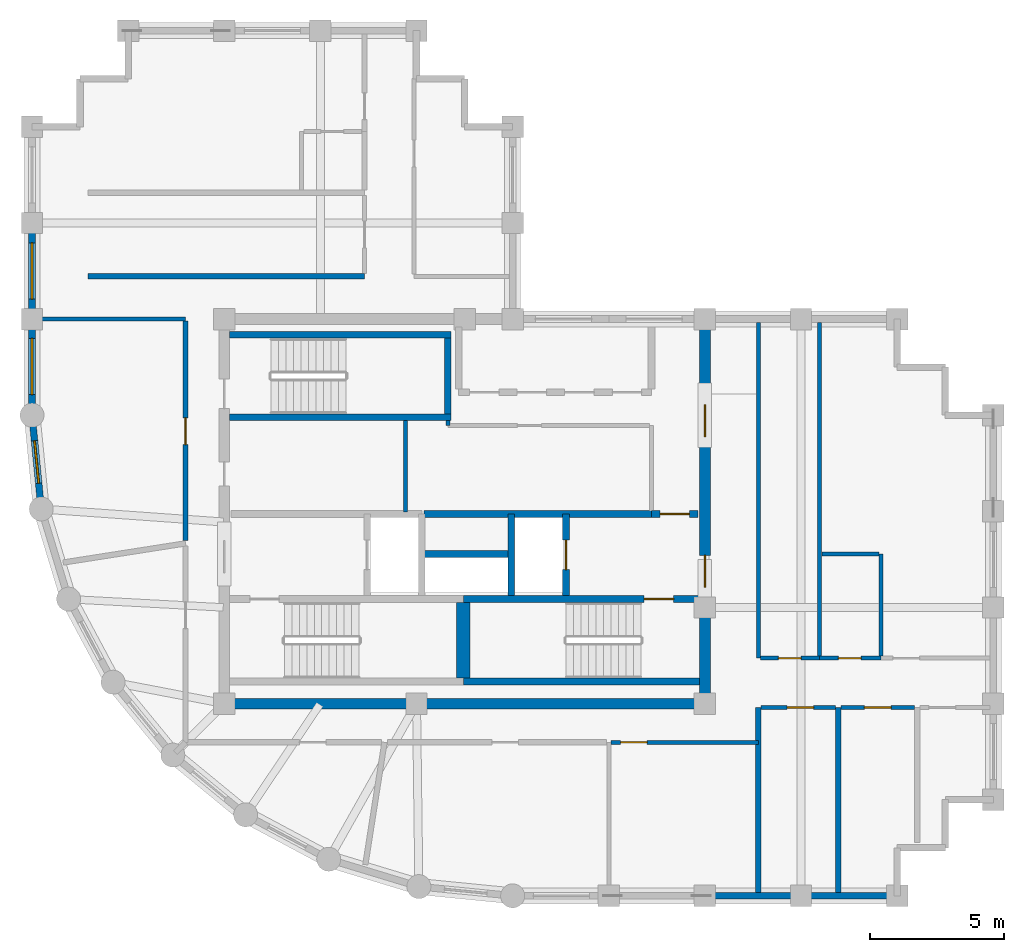
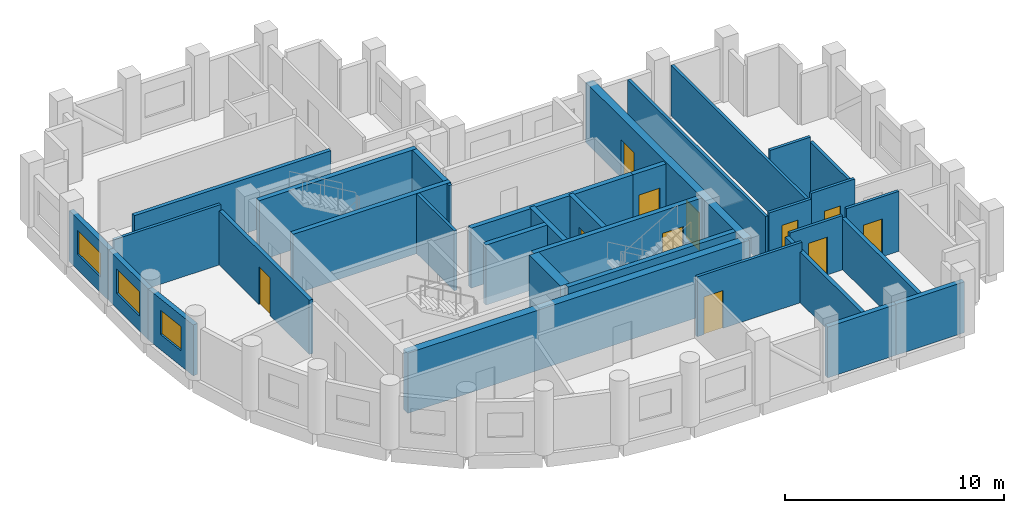
# One storey, part 3 of 6: 34 walls, 11 doors, 3 windows, 14 openings.
"""IFC4 building model written with IfcOpenShell, lengths in metres."""

from ifc_helpers import new_model, si_unit, direction, frame, frame_2d, origin, place, context, subcontext, project, spatial, rectangle, extrude, material, layer, layer_set, type_object, element, fill, save


model = new_model("IFC4")

# Units and contexts
model_context = context("Model", 3, precision=1e-05, world=origin(), true_north=direction((0.0, 1.0)))
body_context = subcontext(model_context, "Body", "Model", "MODEL_VIEW")
ifc_project = project(units=[si_unit("LENGTHUNIT", "METRE"), si_unit("AREAUNIT", "SQUARE_METRE"), si_unit("VOLUMEUNIT", "CUBIC_METRE"), si_unit("PLANEANGLEUNIT", "RADIAN"), si_unit("MASSUNIT", "GRAM", prefix="KILO")], contexts=[model_context])

# Site, building, storey
site_placement = place(None, origin())
site = spatial("IfcSite", under=ifc_project, at=site_placement, CompositionType="ELEMENT")
building_placement = place(site_placement, origin())
building = spatial("IfcBuilding", under=site, at=building_placement, Name="Solnavia Interchange Tower", CompositionType="ELEMENT")
storey_placement = place(building_placement, frame((0.0, 0.0, 231.800048828125)))
storey = spatial("IfcBuildingStorey", under=building, at=storey_placement, Name="L58", CompositionType="ELEMENT", Elevation=231.800048828125)

# Wall, opening, door
ifc_material_1 = material(Name="Gypsum Acoustic Twin-Stud & Mineral Wool", Category="gypsum")
ifc_layer_1 = layer(ifc_material_1, 0.199951171875)
ifc_layer_set_1 = layer_set([ifc_layer_1], Name="Gypsum Acoustic Twin-Stud & Mineral Wool")
wall_type_1 = type_object("IfcWallType", Name="Wall-ApartmentParty-200", PredefinedType="PARTITIONING", material=ifc_layer_set_1)
wall_1_placement = place(storey_placement, frame((12.949951171875, 16.904052734375, 0.0), z_axis=(0.0, 0.0, 1.0), x_axis=(0.0, 1.0, 0.0)))
wall_1 = element("IfcWall", 1, at=wall_1_placement, inside=storey, type_object=wall_type_1, Name="PTW-L58-12 Interior partition wall", PredefinedType="PARTITIONING", context=body_context, shape_type="SweptSolid", body=[
    extrude(rectangle(XDim=8.217041015625, YDim=0.199951171875, at=frame_2d((4.1083984375, 0.0))), origin(), (0.0, 0.0, 1.0), 3.02001953125),
])
opening_1_placement = place(wall_1_placement, frame((3.595947265625, 0.0, 0.0)))
opening_1 = element("IfcOpeningElement", 2, at=opening_1_placement, cuts=wall_1, Name="Opening DR-07", PredefinedType="OPENING", context=body_context, shape_type="SweptSolid", body=[
    extrude(rectangle(XDim=1.0, YDim=2.10009765625, at=frame_2d((0.5, 1.050048828125))), frame((0.0, 0.10986328125, 0.0), z_axis=(0.0, -1.0, 0.0), x_axis=(1.0, 0.0, 0.0)), (0.0, 0.0, 1.0), 0.219970703125),
])
ifc_material_2 = material(Name="Timber & Acoustic Glazed Office Door", Category="wood")
door_type_1 = type_object("IfcDoorType", Name="Door-Office-1000x2100", OperationType="SINGLE_SWING_RIGHT", PredefinedType="DOOR", material=ifc_material_2)
door_1_placement = place(opening_1_placement, origin())
door_1 = element("IfcDoor", 3, at=door_1_placement, inside=storey, type_object=door_type_1, Name="DR-L58-03 Interior room door", OperationType="SINGLE_SWING_LEFT", OverallHeight=2.10009765625, OverallWidth=1.0, PredefinedType="DOOR", context=body_context, shape_type="SweptSolid", body=[
    extrude(rectangle(XDim=1.0, YDim=2.10009765625, at=frame_2d((0.5, 1.050048828125))), frame((0.0, 0.02490234375, 0.0), z_axis=(0.0, -1.0, 0.0), x_axis=(1.0, 0.0, 0.0)), (0.0, 0.0, 1.0), 0.050048828125),
])
fill(opening_1, door_1)

# Walls
for number, where, z_axis, x_axis, name in (
    (4, (34.39990234375, 3.72900390625, 0.0), (0.0, 0.0, 1.0), (0.0, 1.0, 0.0), "PTW-L58-17 Interior partition wall"),
    (5, (37.389892578125, 3.72900390625, 0.0), (0.0, 0.0, 1.0), (0.0, 1.0, 0.0), "PTW-L58-18 Interior partition wall"),
):
    element("IfcWall", number, at=place(storey_placement, frame(where, z_axis=z_axis, x_axis=x_axis)), inside=storey, type_object=wall_type_1, Name=name, PredefinedType="PARTITIONING", context=body_context, shape_type="SweptSolid", body=[
        extrude(rectangle(XDim=6.9208984375, YDim=0.199951171875, at=frame_2d((3.46044921875, 0.0))), origin(), (0.0, 0.0, 1.0), 2.829833984375),
    ])
wall_2_placement = place(storey_placement, frame((9.300048828125, 26.800048828125, 0.0), z_axis=(0.0, 0.0, 1.0), x_axis=(1.0, 0.0, 0.0)))
element("IfcWall", 6, at=wall_2_placement, inside=storey, type_object=wall_type_1, Name="PTW-L58-24 Interior partition wall", PredefinedType="PARTITIONING", context=body_context, shape_type="SweptSolid", body=[
    extrude(rectangle(XDim=10.349853515625, YDim=0.199951171875, at=frame_2d((5.1748046875, 0.0))), origin(), (0.0, 0.0, 1.0), 3.030029296875),
])
ifc_material_3 = material(Name="Concrete C40/50", Category="concrete")
ifc_layer_2 = layer(ifc_material_3, 0.25)
ifc_layer_set_2 = layer_set([ifc_layer_2], Name="Concrete C40/50")
wall_type_2 = type_object("IfcWallType", Name="Wall-ExtSpandrel-250", PredefinedType="STANDARD", material=ifc_layer_set_2)
for number, where, z_axis, x_axis, name in (
    (7, (36.0, 3.60009765625, 0.0), (0.0, 0.0, 1.0), (-1.0, 0.0, 0.0), "EXW-L58-03 Exterior precast spandrel wall"),
    (8, (39.60009765625, 3.60009765625, 0.0), (0.0, 0.0, 1.0), (-1.0, 0.0, 0.0), "EXW-L58-04 Exterior precast spandrel wall"),
):
    element("IfcWall", number, at=place(storey_placement, frame(where, z_axis=z_axis, x_axis=x_axis)), inside=storey, type_object=wall_type_2, Name=name, PredefinedType="STANDARD", context=body_context, shape_type="SweptSolid", body=[
        extrude(rectangle(XDim=3.60009765625, YDim=0.25, at=frame_2d((1.800048828125, 0.0))), origin(), (0.0, 0.0, 1.0), 2.829833984375),
    ])

# Wall, opening, window
wall_3_placement = place(storey_placement, frame((7.199951171875, 25.199951171875, 0.0), z_axis=(0.0, 0.0, 1.0), x_axis=(0.0, 1.0, 0.0)))
wall_3 = element("IfcWall", 9, at=wall_3_placement, inside=storey, type_object=wall_type_2, Name="EXW-L58-35 Exterior precast spandrel wall", PredefinedType="STANDARD", context=body_context, shape_type="SweptSolid", body=[
    extrude(rectangle(XDim=3.60009765625, YDim=0.25, at=frame_2d((1.800048828125, 0.0))), origin(), (0.0, 0.0, 1.0), 2.829833984375),
])
opening_2_placement = place(wall_3_placement, frame((0.75, 0.0, 0.85009765625)))
opening_2 = element("IfcOpeningElement", 10, at=opening_2_placement, cuts=wall_3, Name="Opening WIN-01", PredefinedType="OPENING", context=body_context, shape_type="SweptSolid", body=[
    extrude(rectangle(XDim=2.10009765625, YDim=1.35009765625, at=frame_2d((1.050048828125, 0.675048828125))), frame((0.0, 0.135009765625, 0.0), z_axis=(0.0, -1.0, 0.0), x_axis=(1.0, 0.0, 0.0)), (0.0, 0.0, 1.0), 0.27001953125),
])
ifc_material_4 = material(Name="Thermal-Break Aluminium & Low-E Glass", Category="aluminium")
window_type_1 = type_object("IfcWindowType", Name="Window-Ribbon-2100x1350", PartitioningType="SINGLE_PANEL", PredefinedType="WINDOW", material=ifc_material_4)
window_1_placement = place(opening_2_placement, origin())
window_1 = element("IfcWindow", 11, at=window_1_placement, inside=storey, type_object=window_type_1, Name="WIN-L58-35 Facade ribbon window", OverallHeight=1.35009765625, OverallWidth=2.10009765625, PartitioningType="SINGLE_PANEL", PredefinedType="WINDOW", context=body_context, shape_type="SweptSolid", body=[
    extrude(rectangle(XDim=2.10009765625, YDim=1.35009765625, at=frame_2d((1.050048828125, 0.675048828125))), frame((0.0, 0.030029296875, 0.0), z_axis=(0.0, -1.0, 0.0), x_axis=(1.0, 0.0, 0.0)), (0.0, 0.0, 1.0), 0.06005859375),
])
fill(opening_2, window_1)

wall_4_placement = place(storey_placement, frame((7.199951171875, 21.60009765625, 0.0), z_axis=(0.0, 0.0, 1.0), x_axis=(0.0, 1.0, 0.0)))
wall_4 = element("IfcWall", 12, at=wall_4_placement, inside=storey, type_object=wall_type_2, Name="EXW-L58-36 Exterior precast spandrel wall", PredefinedType="STANDARD", context=body_context, shape_type="SweptSolid", body=[
    extrude(rectangle(XDim=3.599853515625, YDim=0.25, at=frame_2d((1.7998046875, 0.0))), origin(), (0.0, 0.0, 1.0), 2.829833984375),
])
opening_3_placement = place(wall_4_placement, frame((0.77490234375, 0.0, 0.85009765625)))
opening_3 = element("IfcOpeningElement", 13, at=opening_3_placement, cuts=wall_4, Name="Opening WIN-01", PredefinedType="OPENING", context=body_context, shape_type="SweptSolid", body=[
    extrude(rectangle(XDim=2.10009765625, YDim=1.35009765625, at=frame_2d((1.050048828125, 0.675048828125))), frame((0.0, 0.135009765625, 0.0), z_axis=(0.0, -1.0, 0.0), x_axis=(1.0, 0.0, 0.0)), (0.0, 0.0, 1.0), 0.27001953125),
])
window_2_placement = place(opening_3_placement, origin())
window_2 = element("IfcWindow", 14, at=window_2_placement, inside=storey, type_object=window_type_1, Name="WIN-L58-36 Facade ribbon window", OverallHeight=1.35009765625, OverallWidth=2.10009765625, PartitioningType="SINGLE_PANEL", PredefinedType="WINDOW", context=body_context, shape_type="SweptSolid", body=[
    extrude(rectangle(XDim=2.10009765625, YDim=1.35009765625, at=frame_2d((1.050048828125, 0.675048828125))), frame((0.0, 0.030029296875, 0.0), z_axis=(0.0, -1.0, 0.0), x_axis=(1.0, 0.0, 0.0)), (0.0, 0.0, 1.0), 0.06005859375),
])
fill(opening_3, window_2)

wall_5_placement = place(storey_placement, frame((7.5458984375, 18.087890625, 0.0), z_axis=(0.0, 0.0, 1.0), x_axis=(-0.09802417461, 0.995184033831, 0.0)))
wall_5 = element("IfcWall", 15, at=wall_5_placement, inside=storey, type_object=wall_type_2, Name="EXW-L58-37 Exterior precast spandrel wall", PredefinedType="STANDARD", context=body_context, shape_type="SweptSolid", body=[
    extrude(rectangle(XDim=3.529296875, YDim=0.25, at=frame_2d((1.7646484375, 0.0))), origin(), (0.0, 0.0, 1.0), 2.829833984375),
])
opening_4_placement = place(wall_5_placement, frame((0.965087890625, 0.0, 0.85009765625)))
opening_4 = element("IfcOpeningElement", 16, at=opening_4_placement, cuts=wall_5, Name="Opening WIN-04", PredefinedType="OPENING", context=body_context, shape_type="SweptSolid", body=[
    extrude(rectangle(XDim=1.60009765625, YDim=1.35009765625, at=frame_2d((0.800048828125, 0.675048828125))), frame((0.0, 0.135009765625, 0.0), z_axis=(0.0, -1.0, 0.0), x_axis=(1.0, 0.0, 0.0)), (0.0, 0.0, 1.0), 0.27001953125),
])
window_type_2 = type_object("IfcWindowType", Name="Window-Drum-1600x1350", PartitioningType="SINGLE_PANEL", PredefinedType="WINDOW", material=ifc_material_4)
window_3_placement = place(opening_4_placement, origin())
window_3 = element("IfcWindow", 17, at=window_3_placement, inside=storey, type_object=window_type_2, Name="WIN-L58-37 Facade ribbon window", OverallHeight=1.35009765625, OverallWidth=1.60009765625, PartitioningType="SINGLE_PANEL", PredefinedType="WINDOW", context=body_context, shape_type="SweptSolid", body=[
    extrude(rectangle(XDim=1.60009765625, YDim=1.35009765625, at=frame_2d((0.800048828125, 0.675048828125))), frame((0.0, 0.030029296875, 0.0), z_axis=(0.0, -1.0, 0.0), x_axis=(1.0, 0.0, 0.0)), (0.0, 0.0, 1.0), 0.06005859375),
])
fill(opening_4, window_3)

# Walls
ifc_material_5 = material(Name="Gypsum Plasterboard & Steel Stud", Category="steel")
ifc_layer_3 = layer(ifc_material_5, 0.14990234375)
ifc_layer_set_3 = layer_set([ifc_layer_3], Name="Gypsum Plasterboard & Steel Stud")
wall_type_3 = type_object("IfcWallType", Name="Wall-Partition-150", PredefinedType="PARTITIONING", material=ifc_layer_set_3)
wall_6_placement = place(storey_placement, frame((22.77490234375, 21.219970703125, 0.0), z_axis=(0.0, 0.0, 1.0), x_axis=(0.0, 1.0, 0.0)))
element("IfcWall", 18, at=wall_6_placement, inside=storey, type_object=wall_type_3, Name="CSW-L58-ST-TIE Core shaft wall", PredefinedType="PARTITIONING", context=body_context, shape_type="SweptSolid", body=[
    extrude(rectangle(XDim=0.175048828125, YDim=0.14990234375, at=frame_2d((0.08740234375, 0.0))), origin(), (0.0, 0.0, 1.0), 3.3349609375),
])
wall_7_placement = place(storey_placement, frame((21.179931640625, 17.97998046875, 0.0), z_axis=(0.0, 0.0, 1.0), x_axis=(0.0, 1.0, 0.0)))
element("IfcWall", 19, at=wall_7_placement, inside=storey, type_object=wall_type_3, Name="CSW-L58-M0 Core shaft wall", PredefinedType="PARTITIONING", context=body_context, shape_type="SweptSolid", body=[
    extrude(rectangle(XDim=3.419921875, YDim=0.14990234375, at=frame_2d((1.7099609375, 0.0))), origin(), (0.0, 0.0, 1.0), 3.3349609375),
])
wall_8_placement = place(storey_placement, frame((7.3291015625, 25.199951171875, 0.0), z_axis=(0.0, 0.0, 1.0), x_axis=(1.0, 0.0, 0.0)))
element("IfcWall", 20, at=wall_8_placement, inside=storey, type_object=wall_type_3, Name="PTW-L58-07 Interior partition wall", PredefinedType="PARTITIONING", context=body_context, shape_type="SweptSolid", body=[
    extrude(rectangle(XDim=5.620849609375, YDim=0.14990234375, at=frame_2d((2.810546875, 0.0))), origin(), (0.0, 0.0, 1.0), 3.3349609375),
])

# Wall, opening, door
wall_9_placement = place(storey_placement, frame((28.87890625, 9.35009765625, 0.0), z_axis=(0.0, 0.0, 1.0), x_axis=(1.0, 0.0, 0.0)))
wall_9 = element("IfcWall", 21, at=wall_9_placement, inside=storey, type_object=wall_type_3, Name="PTW-L58-16 Interior partition wall", PredefinedType="PARTITIONING", context=body_context, shape_type="SweptSolid", body=[
    extrude(rectangle(XDim=5.52099609375, YDim=0.14990234375, at=frame_2d((2.760498046875, 0.0))), origin(), (0.0, 0.0, 1.0), 3.3349609375),
])
opening_5_placement = place(wall_9_placement, frame((0.360107421875, 0.0, 0.0)))
opening_5 = element("IfcOpeningElement", 22, at=opening_5_placement, cuts=wall_9, Name="Opening DR-07", PredefinedType="OPENING", context=body_context, shape_type="SweptSolid", body=[
    extrude(rectangle(XDim=1.0, YDim=2.10009765625, at=frame_2d((0.5, 1.050048828125))), frame((0.0, 0.0849609375, 0.0), z_axis=(0.0, -1.0, 0.0), x_axis=(1.0, 0.0, 0.0)), (0.0, 0.0, 1.0), 0.169921875),
])
door_2_placement = place(opening_5_placement, origin())
door_2 = element("IfcDoor", 23, at=door_2_placement, inside=storey, type_object=door_type_1, Name="DR-L58-07 Interior room door", OperationType="SINGLE_SWING_LEFT", OverallHeight=2.10009765625, OverallWidth=1.0, PredefinedType="DOOR", context=body_context, shape_type="SweptSolid", body=[
    extrude(rectangle(XDim=1.0, YDim=2.10009765625, at=frame_2d((0.5, 1.050048828125))), frame((0.0, 0.02490234375, 0.0), z_axis=(0.0, -1.0, 0.0), x_axis=(1.0, 0.0, 0.0)), (0.0, 0.0, 1.0), 0.050048828125),
])
fill(opening_5, door_2)

wall_10_placement = place(storey_placement, frame((34.50390625, 10.64990234375, 0.0), z_axis=(0.0, 0.0, 1.0), x_axis=(1.0, 0.0, 0.0)))
wall_10 = element("IfcWall", 24, at=wall_10_placement, inside=storey, type_object=wall_type_3, Name="PTW-L58-19 Interior partition wall", PredefinedType="PARTITIONING", context=body_context, shape_type="SweptSolid", body=[
    extrude(rectangle(XDim=2.781982421875, YDim=0.14990234375, at=frame_2d((1.39111328125, 0.0))), origin(), (0.0, 0.0, 1.0), 3.02001953125),
])
opening_6_placement = place(wall_10_placement, frame((0.969970703125, 0.0, 0.0)))
opening_6 = element("IfcOpeningElement", 25, at=opening_6_placement, cuts=wall_10, Name="Opening DR-07", PredefinedType="OPENING", context=body_context, shape_type="SweptSolid", body=[
    extrude(rectangle(XDim=1.0, YDim=2.10009765625, at=frame_2d((0.5, 1.050048828125))), frame((0.0, 0.0849609375, 0.0), z_axis=(0.0, -1.0, 0.0), x_axis=(1.0, 0.0, 0.0)), (0.0, 0.0, 1.0), 0.169921875),
])
door_3_placement = place(opening_6_placement, origin())
door_3 = element("IfcDoor", 26, at=door_3_placement, inside=storey, type_object=door_type_1, Name="DR-L58-08 Interior room door", OperationType="SINGLE_SWING_LEFT", OverallHeight=2.10009765625, OverallWidth=1.0, PredefinedType="DOOR", context=body_context, shape_type="SweptSolid", body=[
    extrude(rectangle(XDim=1.0, YDim=2.10009765625, at=frame_2d((0.5, 1.050048828125))), frame((0.0, 0.02490234375, 0.0), z_axis=(0.0, -1.0, 0.0), x_axis=(1.0, 0.0, 0.0)), (0.0, 0.0, 1.0), 0.050048828125),
])
fill(opening_6, door_3)

wall_11_placement = place(storey_placement, frame((37.493896484375, 10.64990234375, 0.0), z_axis=(0.0, 0.0, 1.0), x_axis=(1.0, 0.0, 0.0)))
wall_11 = element("IfcWall", 27, at=wall_11_placement, inside=storey, type_object=wall_type_3, Name="PTW-L58-21 Interior partition wall", PredefinedType="PARTITIONING", context=body_context, shape_type="SweptSolid", body=[
    extrude(rectangle(XDim=2.752197265625, YDim=0.14990234375, at=frame_2d((1.3759765625, 0.0))), origin(), (0.0, 0.0, 1.0), 3.3349609375),
])
opening_7_placement = place(wall_11_placement, frame((0.8759765625, 0.0, 0.0)))
opening_7 = element("IfcOpeningElement", 28, at=opening_7_placement, cuts=wall_11, Name="Opening DR-07", PredefinedType="OPENING", context=body_context, shape_type="SweptSolid", body=[
    extrude(rectangle(XDim=1.0, YDim=2.10009765625, at=frame_2d((0.5, 1.050048828125))), frame((0.0, 0.0849609375, 0.0), z_axis=(0.0, -1.0, 0.0), x_axis=(1.0, 0.0, 0.0)), (0.0, 0.0, 1.0), 0.169921875),
])
door_4_placement = place(opening_7_placement, origin())
door_4 = element("IfcDoor", 29, at=door_4_placement, inside=storey, type_object=door_type_1, Name="DR-L58-09 Interior room door", OperationType="SINGLE_SWING_RIGHT", OverallHeight=2.10009765625, OverallWidth=1.0, PredefinedType="DOOR", context=body_context, shape_type="SweptSolid", body=[
    extrude(rectangle(XDim=1.0, YDim=2.10009765625, at=frame_2d((0.5, 1.050048828125))), frame((0.0, 0.02490234375, 0.0), z_axis=(0.0, -1.0, 0.0), x_axis=(1.0, 0.0, 0.0)), (0.0, 0.0, 1.0), 0.050048828125),
])
fill(opening_7, door_4)

# Wall
ifc_layer_4 = layer(ifc_material_3, 0.25)
ifc_layer_set_4 = layer_set([ifc_layer_4], Name="Concrete C40/50")
wall_type_4 = type_object("IfcWallType", Name="Wall-ShaftCore-250", PredefinedType="SHEAR", material=ifc_layer_set_4)
wall_12_placement = place(storey_placement, frame((23.35009765625, 11.625, 0.0), z_axis=(0.0, 0.0, 1.0), x_axis=(1.0, 0.0, 0.0)))
element("IfcWall", 30, at=wall_12_placement, inside=storey, type_object=wall_type_4, Name="SHW-L58-ST2S Core shear wall", PredefinedType="SHEAR", context=body_context, shape_type="SweptSolid", body=[
    extrude(rectangle(XDim=8.849853515625, YDim=0.25, at=frame_2d((4.4248046875, 0.0))), origin(), (0.0, 0.0, 1.0), 3.349853515625),
])

# Wall, opening, door
wall_13_placement = place(storey_placement, frame((23.35009765625, 14.715087890625, 0.0), z_axis=(0.0, 0.0, 1.0), x_axis=(1.0, 0.0, 0.0)))
wall_13 = element("IfcWall", 31, at=wall_13_placement, inside=storey, type_object=wall_type_4, Name="SHW-L58-ST2N Core shear wall", PredefinedType="SHEAR", context=body_context, shape_type="SweptSolid", body=[
    extrude(rectangle(XDim=8.849853515625, YDim=0.25, at=frame_2d((4.4248046875, 0.0))), origin(), (0.0, 0.0, 1.0), 3.349853515625),
])
opening_8_placement = place(wall_13_placement, frame((6.77490234375, 0.0, 0.0)))
opening_8 = element("IfcOpeningElement", 32, at=opening_8_placement, cuts=wall_13, Name="Opening DR-01", PredefinedType="OPENING", context=body_context, shape_type="SweptSolid", body=[
    extrude(rectangle(XDim=1.10009765625, YDim=2.10009765625, at=frame_2d((0.550048828125, 1.050048828125))), frame((0.0, 0.135009765625, 0.0), z_axis=(0.0, -1.0, 0.0), x_axis=(1.0, 0.0, 0.0)), (0.0, 0.0, 1.0), 0.27001953125),
])
ifc_material_6 = material(Name="Steel Fire-Rated Leaf & Frame", Category="steel")
door_type_2 = type_object("IfcDoorType", Name="Door-StairFire-1100x2100", OperationType="SINGLE_SWING_LEFT", PredefinedType="DOOR", material=ifc_material_6)
door_5_placement = place(opening_8_placement, origin())
door_5 = element("IfcDoor", 33, at=door_5_placement, inside=storey, type_object=door_type_2, Name="DR-L58-ST2 Core fire door", OperationType="SINGLE_SWING_LEFT", OverallHeight=2.10009765625, OverallWidth=1.10009765625, PredefinedType="DOOR", context=body_context, shape_type="SweptSolid", body=[
    extrude(rectangle(XDim=1.10009765625, YDim=2.10009765625, at=frame_2d((0.550048828125, 1.050048828125))), frame((0.0, 0.02490234375, 0.0), z_axis=(0.0, -1.0, 0.0), x_axis=(1.0, 0.0, 0.0)), (0.0, 0.0, 1.0), 0.050048828125),
])
fill(opening_8, door_5)

# Walls
for number, where, z_axis, x_axis, name in (
    (34, (14.60009765625, 21.52490234375, 0.0), (0.0, 0.0, 1.0), (1.0, 0.0, 0.0), "SHW-L58-ST3S Core shear wall"),
    (35, (14.60009765625, 24.614990234375, 0.0), (0.0, 0.0, 1.0), (1.0, 0.0, 0.0), "SHW-L58-ST3N Core shear wall"),
):
    element("IfcWall", number, at=place(storey_placement, frame(where, z_axis=z_axis, x_axis=x_axis)), inside=storey, type_object=wall_type_4, Name=name, PredefinedType="SHEAR", context=body_context, shape_type="SweptSolid", body=[
        extrude(rectangle(XDim=8.2998046875, YDim=0.25, at=frame_2d((4.14990234375, 0.0))), origin(), (0.0, 0.0, 1.0), 3.349853515625),
    ])
wall_14_placement = place(storey_placement, frame((22.77490234375, 21.64990234375, 0.0), z_axis=(0.0, 0.0, 1.0), x_axis=(0.0, 1.0, 0.0)))
element("IfcWall", 36, at=wall_14_placement, inside=storey, type_object=wall_type_4, Name="SHW-L58-ST3E Core shear wall", PredefinedType="SHEAR", context=body_context, shape_type="SweptSolid", body=[
    extrude(rectangle(XDim=2.840087890625, YDim=0.25, at=frame_2d((1.419921875, 0.0))), origin(), (0.0, 0.0, 1.0), 3.349853515625),
])
ifc_layer_5 = layer(ifc_material_3, 0.25)
ifc_layer_set_5 = layer_set([ifc_layer_5], Name="Concrete C40/50")
wall_type_5 = type_object("IfcWallType", Name="Wall-ShaftPart-250", PredefinedType="PARTITIONING", material=ifc_layer_set_5)
wall_15_placement = place(storey_placement, frame((21.8798828125, 17.89990234375, 0.0), z_axis=(0.0, 0.0, 1.0), x_axis=(1.0, 0.0, 0.0)))
element("IfcWall", 37, at=wall_15_placement, inside=storey, type_object=wall_type_5, Name="SHW-L58-FFLE-N1 Core shaft wall", PredefinedType="PARTITIONING", context=body_context, shape_type="SweptSolid", body=[
    extrude(rectangle(XDim=8.52001953125, YDim=0.25, at=frame_2d((4.260009765625, 0.0))), origin(), (0.0, 0.0, 1.0), 3.3349609375),
])

# Wall, opening, door
wall_16_placement = place(storey_placement, frame((30.39990234375, 17.89990234375, 0.0), z_axis=(0.0, 0.0, 1.0), x_axis=(1.0, 0.0, 0.0)))
wall_16 = element("IfcWall", 38, at=wall_16_placement, inside=storey, type_object=wall_type_5, Name="SHW-L58-FFLE-N2 Core shaft wall", PredefinedType="PARTITIONING", context=body_context, shape_type="SweptSolid", body=[
    extrude(rectangle(XDim=1.75, YDim=0.25, at=frame_2d((0.875, 0.0))), origin(), (0.0, 0.0, 1.0), 3.3349609375),
])
opening_9_placement = place(wall_16_placement, frame((0.320068359375, 0.0, 0.0)))
opening_9 = element("IfcOpeningElement", 39, at=opening_9_placement, cuts=wall_16, Name="Opening DR-01", PredefinedType="OPENING", context=body_context, shape_type="SweptSolid", body=[
    extrude(rectangle(XDim=1.10009765625, YDim=2.10009765625, at=frame_2d((0.550048828125, 1.050048828125))), frame((0.0, 0.135009765625, 0.0), z_axis=(0.0, -1.0, 0.0), x_axis=(1.0, 0.0, 0.0)), (0.0, 0.0, 1.0), 0.27001953125),
])
door_6_placement = place(opening_9_placement, origin())
door_6 = element("IfcDoor", 40, at=door_6_placement, inside=storey, type_object=door_type_2, Name="DR-L58-LLC Core fire door", OperationType="SINGLE_SWING_LEFT", OverallHeight=2.10009765625, OverallWidth=1.10009765625, PredefinedType="DOOR", context=body_context, shape_type="SweptSolid", body=[
    extrude(rectangle(XDim=1.10009765625, YDim=2.10009765625, at=frame_2d((0.550048828125, 1.050048828125))), frame((0.0, 0.02490234375, 0.0), z_axis=(0.0, -1.0, 0.0), x_axis=(1.0, 0.0, 0.0)), (0.0, 0.0, 1.0), 0.050048828125),
])
fill(opening_9, door_6)

# Wall
wall_17_placement = place(storey_placement, frame((25.14990234375, 14.840087890625, 0.0), z_axis=(0.0, 0.0, 1.0), x_axis=(0.0, 1.0, 0.0)))
element("IfcWall", 41, at=wall_17_placement, inside=storey, type_object=wall_type_5, Name="SHW-L58-FFL2-W Core shaft wall", PredefinedType="PARTITIONING", context=body_context, shape_type="SweptSolid", body=[
    extrude(rectangle(XDim=3.059814453125, YDim=0.25, at=frame_2d((1.52978515625, 0.0))), origin(), (0.0, 0.0, 1.0), 3.3349609375),
])

# Wall, opening, door
wall_18_placement = place(storey_placement, frame((27.199951171875, 14.840087890625, 0.0), z_axis=(0.0, 0.0, 1.0), x_axis=(0.0, 1.0, 0.0)))
wall_18 = element("IfcWall", 42, at=wall_18_placement, inside=storey, type_object=wall_type_5, Name="SHW-L58-FFL2-E Core shaft wall", PredefinedType="PARTITIONING", context=body_context, shape_type="SweptSolid", body=[
    extrude(rectangle(XDim=3.059814453125, YDim=0.25, at=frame_2d((1.52978515625, 0.0))), origin(), (0.0, 0.0, 1.0), 3.3349609375),
])
opening_10_placement = place(wall_18_placement, frame((0.97998046875, 0.0, 0.0)))
opening_10 = element("IfcOpeningElement", 43, at=opening_10_placement, cuts=wall_18, Name="Opening LD-01", PredefinedType="OPENING", context=body_context, shape_type="SweptSolid", body=[
    extrude(rectangle(XDim=1.10009765625, YDim=2.10009765625, at=frame_2d((0.550048828125, 1.050048828125))), frame((0.0, 0.135009765625, 0.0), z_axis=(0.0, -1.0, 0.0), x_axis=(1.0, 0.0, 0.0)), (0.0, 0.0, 1.0), 0.27001953125),
])
ifc_material_7 = material(Name="Brushed Stainless Steel Sliding Door", Category="steel")
door_type_3 = type_object("IfcDoorType", Name="Door-LiftLanding-1100x2100", OperationType="SLIDING_TO_LEFT", PredefinedType="DOOR", material=ifc_material_7)
door_7_placement = place(opening_10_placement, origin())
door_7 = element("IfcDoor", 44, at=door_7_placement, inside=storey, type_object=door_type_3, Name="LD-L58-FFL2 Lift landing sliding door", OperationType="SLIDING_TO_LEFT", OverallHeight=2.10009765625, OverallWidth=1.10009765625, PredefinedType="DOOR", context=body_context, shape_type="SweptSolid", body=[
    extrude(rectangle(XDim=1.10009765625, YDim=2.10009765625, at=frame_2d((0.550048828125, 1.050048828125))), frame((0.0, 0.02490234375, 0.0), z_axis=(0.0, -1.0, 0.0), x_axis=(1.0, 0.0, 0.0)), (0.0, 0.0, 1.0), 0.050048828125),
])
fill(opening_10, door_7)

# Walls
wall_19_placement = place(storey_placement, frame((21.800048828125, 16.39990234375, 0.0), z_axis=(0.0, 0.0, 1.0), x_axis=(1.0, 0.0, 0.0)))
element("IfcWall", 45, at=wall_19_placement, inside=storey, type_object=wall_type_5, Name="SHW-L58-MEP-N Core shaft wall", PredefinedType="PARTITIONING", context=body_context, shape_type="SweptSolid", body=[
    extrude(rectangle(XDim=3.349853515625, YDim=0.25, at=frame_2d((1.6748046875, 0.0))), origin(), (0.0, 0.0, 1.0), 3.3349609375),
])
ifc_material_8 = material(Name="Concrete C50/60", Category="concrete")
ifc_layer_6 = layer(ifc_material_8, 0.39990234375)
ifc_layer_set_6 = layer_set([ifc_layer_6], Name="Concrete C50/60")
wall_type_6 = type_object("IfcWallType", Name="Wall-ShearCore-400", PredefinedType="SHEAR", material=ifc_layer_set_6)
wall_20_placement = place(storey_placement, frame((14.39990234375, 10.800048828125, 0.0), z_axis=(0.0, 0.0, 1.0), x_axis=(1.0, 0.0, 0.0)))
element("IfcWall", 46, at=wall_20_placement, inside=storey, type_object=wall_type_6, Name="CRW-L58-S Core shear wall", PredefinedType="SHEAR", context=body_context, shape_type="SweptSolid", body=[
    extrude(rectangle(XDim=18.0, YDim=0.39990234375, at=frame_2d((9.0, 0.0))), origin(), (0.0, 0.0, 1.0), 3.349853515625),
])

# Wall, openings, doors
wall_21_placement = place(storey_placement, frame((32.39990234375, 10.800048828125, 0.0), z_axis=(0.0, 0.0, 1.0), x_axis=(0.0, 1.0, 0.0)))
wall_21 = element("IfcWall", 47, at=wall_21_placement, inside=storey, type_object=wall_type_6, Name="CRW-L58-E Core shear wall", PredefinedType="SHEAR", context=body_context, shape_type="SweptSolid", body=[
    extrude(rectangle(XDim=14.39990234375, YDim=0.39990234375, at=frame_2d((7.199951171875, 0.0))), origin(), (0.0, 0.0, 1.0), 3.349853515625),
])
opening_11_placement = place(wall_21_placement, frame((4.35009765625, 0.0, 0.0)))
opening_11 = element("IfcOpeningElement", 48, at=opening_11_placement, cuts=wall_21, Name="Opening DR-02", PredefinedType="OPENING", context=body_context, shape_type="SweptSolid", body=[
    extrude(rectangle(XDim=1.199951171875, YDim=2.10009765625, at=frame_2d((0.60009765625, 1.050048828125))), frame((0.0, 0.2099609375, 0.0), z_axis=(0.0, -1.0, 0.0), x_axis=(1.0, 0.0, 0.0)), (0.0, 0.0, 1.0), 0.419921875),
])
opening_12_placement = place(wall_21_placement, frame((10.0, 0.0, 0.0)))
opening_12 = element("IfcOpeningElement", 49, at=opening_12_placement, cuts=wall_21, Name="Opening DR-02", PredefinedType="OPENING", context=body_context, shape_type="SweptSolid", body=[
    extrude(rectangle(XDim=1.199951171875, YDim=2.10009765625, at=frame_2d((0.60009765625, 1.050048828125))), frame((0.0, 0.2099609375, 0.0), z_axis=(0.0, -1.0, 0.0), x_axis=(1.0, 0.0, 0.0)), (0.0, 0.0, 1.0), 0.419921875),
])
ifc_material_9 = material(Name="Steel Fire-Rated Vision-Panel Door", Category="steel")
door_type_4 = type_object("IfcDoorType", Name="Door-LobbyFire-1200x2100", OperationType="SINGLE_SWING_RIGHT", PredefinedType="DOOR", material=ifc_material_9)
door_8_placement = place(opening_11_placement, origin())
door_8 = element("IfcDoor", 50, at=door_8_placement, inside=storey, type_object=door_type_4, Name="DR-L58-FFL2E Core fire door", OperationType="SINGLE_SWING_LEFT", OverallHeight=2.10009765625, OverallWidth=1.199951171875, PredefinedType="DOOR", context=body_context, shape_type="SweptSolid", body=[
    extrude(rectangle(XDim=1.199951171875, YDim=2.10009765625, at=frame_2d((0.60009765625, 1.050048828125))), frame((0.0, 0.02490234375, 0.0), z_axis=(0.0, -1.0, 0.0), x_axis=(1.0, 0.0, 0.0)), (0.0, 0.0, 1.0), 0.050048828125),
])
fill(opening_11, door_8)
door_9_placement = place(opening_12_placement, origin())
door_9 = element("IfcDoor", 51, at=door_9_placement, inside=storey, type_object=door_type_4, Name="DR-L58-LLE Core fire door", OperationType="SINGLE_SWING_RIGHT", OverallHeight=2.10009765625, OverallWidth=1.199951171875, PredefinedType="DOOR", context=body_context, shape_type="SweptSolid", body=[
    extrude(rectangle(XDim=1.199951171875, YDim=2.10009765625, at=frame_2d((0.60009765625, 1.050048828125))), frame((0.0, 0.02490234375, 0.0), z_axis=(0.0, -1.0, 0.0), x_axis=(1.0, 0.0, 0.0)), (0.0, 0.0, 1.0), 0.050048828125),
])
fill(opening_12, door_9)

# Walls
ifc_material_10 = material(Name="Concrete C60/75", Category="concrete")
ifc_layer_7 = layer(ifc_material_10, 0.5)
ifc_layer_set_7 = layer_set([ifc_layer_7], Name="Concrete C60/75")
wall_type_7 = type_object("IfcWallType", Name="Wall-ShearCore-500", PredefinedType="SHEAR", material=ifc_layer_set_7)
wall_22_placement = place(storey_placement, frame((23.35009765625, 11.75, 0.0), z_axis=(0.0, 0.0, 1.0), x_axis=(0.0, 1.0, 0.0)))
element("IfcWall", 52, at=wall_22_placement, inside=storey, type_object=wall_type_7, Name="SHW-L58-ST12M Core shear wall", PredefinedType="SHEAR", context=body_context, shape_type="SweptSolid", body=[
    extrude(rectangle(XDim=2.840087890625, YDim=0.5, at=frame_2d((1.419921875, 0.0))), origin(), (0.0, 0.0, 1.0), 3.349853515625),
])
ifc_material_11 = material(Name="Moisture-Resistant Gypsum & Steel Stud", Category="steel")
ifc_layer_8 = layer(ifc_material_11, 0.14990234375)
ifc_layer_set_8 = layer_set([ifc_layer_8], Name="Moisture-Resistant Gypsum & Steel Stud")
wall_type_8 = type_object("IfcWallType", Name="Wall-WetRoom-150", PredefinedType="PARTITIONING", material=ifc_layer_set_8)
wall_23_placement = place(storey_placement, frame((34.39990234375, 12.5, 0.0), z_axis=(0.0, 0.0, 1.0), x_axis=(0.0, 1.0, 0.0)))
element("IfcWall", 53, at=wall_23_placement, inside=storey, type_object=wall_type_8, Name="PTW-L58-01 Interior partition wall", PredefinedType="PARTITIONING", context=body_context, shape_type="SweptSolid", body=[
    extrude(rectangle(XDim=12.571044921875, YDim=0.14990234375, at=frame_2d((6.28564453125, 0.0))), origin(), (0.0, 0.0, 1.0), 2.829833984375),
])

# Wall, opening, door
wall_24_placement = place(storey_placement, frame((34.47900390625, 12.5, 0.0), z_axis=(0.0, 0.0, 1.0), x_axis=(1.0, 0.0, 0.0)))
wall_24 = element("IfcWall", 54, at=wall_24_placement, inside=storey, type_object=wall_type_8, Name="PTW-L58-02 Interior partition wall", PredefinedType="PARTITIONING", context=body_context, shape_type="SweptSolid", body=[
    extrude(rectangle(XDim=2.220947265625, YDim=0.14990234375, at=frame_2d((1.1103515625, 0.0))), origin(), (0.0, 0.0, 1.0), 3.02001953125),
])
opening_13_placement = place(wall_24_placement, frame((0.674072265625, 0.0, 0.0)))
opening_13 = element("IfcOpeningElement", 55, at=opening_13_placement, cuts=wall_24, Name="Opening DR-10", PredefinedType="OPENING", context=body_context, shape_type="SweptSolid", body=[
    extrude(rectangle(XDim=0.85009765625, YDim=2.10009765625, at=frame_2d((0.425048828125, 1.050048828125))), frame((0.0, 0.0849609375, 0.0), z_axis=(0.0, -1.0, 0.0), x_axis=(1.0, 0.0, 0.0)), (0.0, 0.0, 1.0), 0.169921875),
])
ifc_material_12 = material(Name="Moisture-Resistant Timber Door", Category="wood")
door_type_5 = type_object("IfcDoorType", Name="Door-Bathroom-850x2100", OperationType="SINGLE_SWING_RIGHT", PredefinedType="DOOR", material=ifc_material_12)
door_10_placement = place(opening_13_placement, origin())
door_10 = element("IfcDoor", 56, at=door_10_placement, inside=storey, type_object=door_type_5, Name="DR-L58-01 Interior room door", OperationType="SINGLE_SWING_LEFT", OverallHeight=2.10009765625, OverallWidth=0.85009765625, PredefinedType="DOOR", context=body_context, shape_type="SweptSolid", body=[
    extrude(rectangle(XDim=0.85009765625, YDim=2.10009765625, at=frame_2d((0.425048828125, 1.050048828125))), frame((0.0, 0.02490234375, 0.0), z_axis=(0.0, -1.0, 0.0), x_axis=(1.0, 0.0, 0.0)), (0.0, 0.0, 1.0), 0.050048828125),
])
fill(opening_13, door_10)

# Wall
wall_25_placement = place(storey_placement, frame((36.699951171875, 12.5791015625, 0.0), z_axis=(0.0, 0.0, 1.0), x_axis=(0.0, 1.0, 0.0)))
element("IfcWall", 57, at=wall_25_placement, inside=storey, type_object=wall_type_8, Name="PTW-L58-03 Interior partition wall", PredefinedType="PARTITIONING", context=body_context, shape_type="SweptSolid", body=[
    extrude(rectangle(XDim=12.491943359375, YDim=0.14990234375, at=frame_2d((6.24609375, 0.0))), origin(), (0.0, 0.0, 1.0), 2.829833984375),
])

# Wall, opening, door
wall_26_placement = place(storey_placement, frame((36.699951171875, 12.5, 0.0), z_axis=(0.0, 0.0, 1.0), x_axis=(1.0, 0.0, 0.0)))
wall_26 = element("IfcWall", 58, at=wall_26_placement, inside=storey, type_object=wall_type_8, Name="PTW-L58-04 Interior partition wall", PredefinedType="PARTITIONING", context=body_context, shape_type="SweptSolid", body=[
    extrude(rectangle(XDim=2.300048828125, YDim=0.14990234375, at=frame_2d((1.14990234375, 0.0))), origin(), (0.0, 0.0, 1.0), 3.3349609375),
])
opening_14_placement = place(wall_26_placement, frame((0.697021484375, 0.0, 0.0)))
opening_14 = element("IfcOpeningElement", 59, at=opening_14_placement, cuts=wall_26, Name="Opening DR-10", PredefinedType="OPENING", context=body_context, shape_type="SweptSolid", body=[
    extrude(rectangle(XDim=0.85009765625, YDim=2.10009765625, at=frame_2d((0.425048828125, 1.050048828125))), frame((0.0, 0.0849609375, 0.0), z_axis=(0.0, -1.0, 0.0), x_axis=(1.0, 0.0, 0.0)), (0.0, 0.0, 1.0), 0.169921875),
])
door_11_placement = place(opening_14_placement, origin())
door_11 = element("IfcDoor", 60, at=door_11_placement, inside=storey, type_object=door_type_5, Name="DR-L58-02 Interior room door", OperationType="SINGLE_SWING_RIGHT", OverallHeight=2.10009765625, OverallWidth=0.85009765625, PredefinedType="DOOR", context=body_context, shape_type="SweptSolid", body=[
    extrude(rectangle(XDim=0.85009765625, YDim=2.10009765625, at=frame_2d((0.425048828125, 1.050048828125))), frame((0.0, 0.02490234375, 0.0), z_axis=(0.0, -1.0, 0.0), x_axis=(1.0, 0.0, 0.0)), (0.0, 0.0, 1.0), 0.050048828125),
])
fill(opening_14, door_11)

# Walls
wall_27_placement = place(storey_placement, frame((39.0, 12.5791015625, 0.0), z_axis=(0.0, 0.0, 1.0), x_axis=(0.0, 1.0, 0.0)))
element("IfcWall", 61, at=wall_27_placement, inside=storey, type_object=wall_type_8, Name="PTW-L58-05 Interior partition wall", PredefinedType="PARTITIONING", context=body_context, shape_type="SweptSolid", body=[
    extrude(rectangle(XDim=3.82080078125, YDim=0.14990234375, at=frame_2d((1.910400390625, 0.0))), origin(), (0.0, 0.0, 1.0), 3.030029296875),
])
wall_28_placement = place(storey_placement, frame((36.779052734375, 16.39990234375, 0.0), z_axis=(0.0, 0.0, 1.0), x_axis=(1.0, 0.0, 0.0)))
element("IfcWall", 62, at=wall_28_placement, inside=storey, type_object=wall_type_8, Name="PTW-L58-06 Interior partition wall", PredefinedType="PARTITIONING", context=body_context, shape_type="SweptSolid", body=[
    extrude(rectangle(XDim=2.141845703125, YDim=0.14990234375, at=frame_2d((1.07080078125, 0.0))), origin(), (0.0, 0.0, 1.0), 3.3349609375),
])

save(model, "model.ifc")
